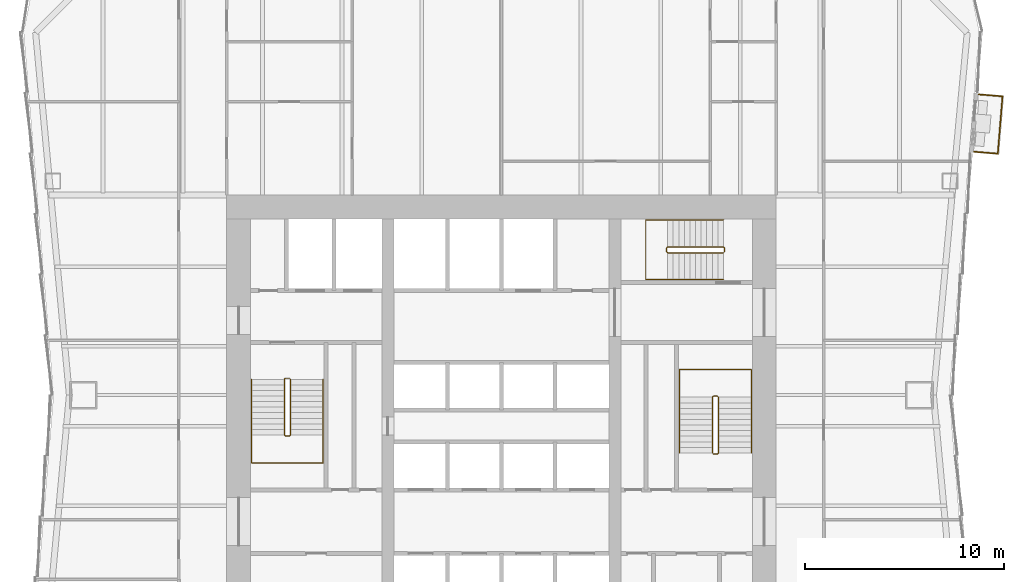
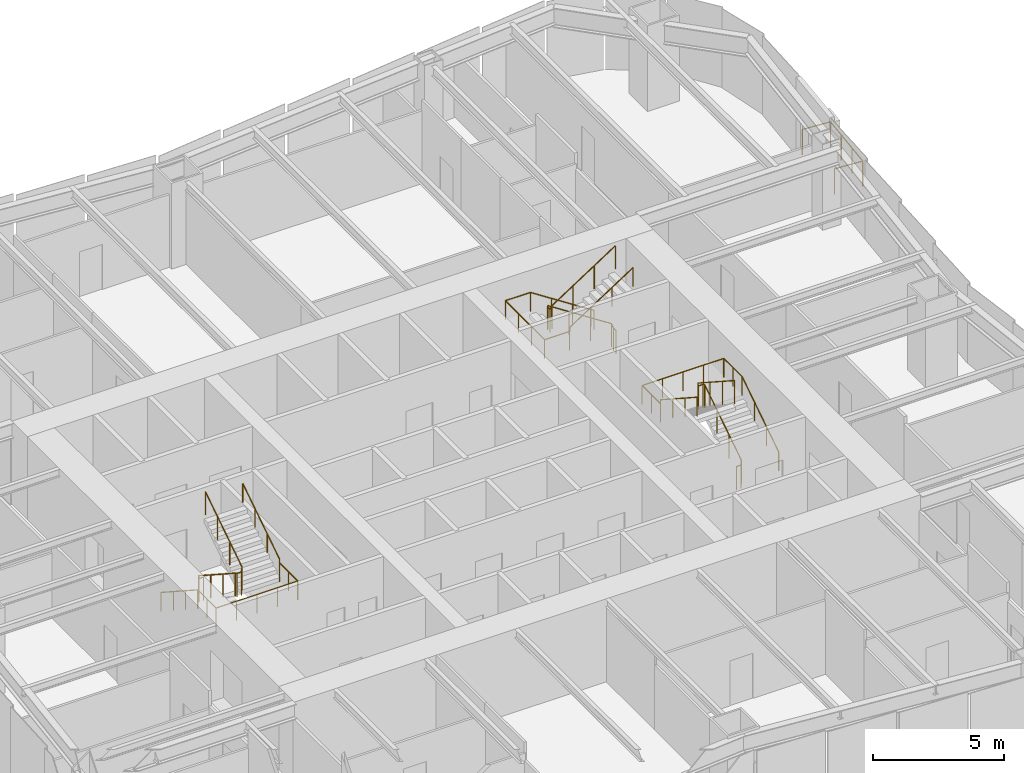
# One storey, part 8 of 9: 7 railings.
"""IFC4 building model written with IfcOpenShell, lengths in metres."""

from ifc_helpers import new_model, si_unit, direction, frame, origin, origin_2d, place, context, subcontext, project, spatial, circle, extrude, material, type_object, element, save


model = new_model("IFC4")

# Units and contexts
model_context = context("Model", 3, precision=1e-05, world=origin(), true_north=direction((0.0, 1.0)))
body_context = subcontext(model_context, "Body", "Model", "MODEL_VIEW")
ifc_project = project(units=[si_unit("LENGTHUNIT", "METRE"), si_unit("AREAUNIT", "SQUARE_METRE"), si_unit("VOLUMEUNIT", "CUBIC_METRE"), si_unit("PLANEANGLEUNIT", "RADIAN"), si_unit("MASSUNIT", "GRAM", prefix="KILO")], contexts=[model_context])

# Site, building, storey
site_placement = place(None, origin())
site = spatial("IfcSite", under=ifc_project, at=site_placement, CompositionType="ELEMENT")
building_placement = place(site_placement, origin())
building = spatial("IfcBuilding", under=site, at=building_placement, Name="Verdant Reach Tower", CompositionType="ELEMENT")
storey_placement = place(building_placement, frame((0.0, 0.0, 98.0)))
storey = spatial("IfcBuildingStorey", under=building, at=storey_placement, Name="L22", CompositionType="ELEMENT", Elevation=98.0)

# Railings
ifc_material_1 = material(Name="Stainless steel", Category="steel")
railing_type_1 = type_object("IfcRailingType", Name="CO-GUARD", PredefinedType="GUARDRAIL", material=ifc_material_1)
railing_1_placement = place(storey_placement, frame((-10.64990234375, 29.60009765625, 0.0)))
element("IfcRailing", 1, at=railing_1_placement, inside=storey, type_object=railing_type_1, Name="L22 ST-1 stair guard 1", PredefinedType="GUARDRAIL", context=body_context, shape_type="SweptSolid", body=[
    extrude(circle(Radius=0.02392578125, at=origin_2d()), frame((0.0, 0.0, 1.076171875), z_axis=(-1.0, 0.0, 0.0), x_axis=(0.0, -1.0, 0.0)), (0.0, 0.0, 1.0), 0.2001953125),
    extrude(circle(Radius=0.02392578125, at=origin_2d()), frame((-0.2001953125, 0.0, 1.076171875), z_axis=(-0.25526617399, -0.256517478764, 0.932222056972), x_axis=(0.708833529934, -0.705375805398, 0.0)), (0.0, 0.0, 1.0), 0.195068359375),
    extrude(circle(Radius=0.02392578125, at=origin_2d()), frame((-0.25, -0.050048828125, 1.2578125), z_axis=(0.0, -0.838705829183, 0.544584733623), x_axis=(1.0, 0.0, 0.0)), (0.0, 0.0, 1.0), 3.338623046875),
    extrude(circle(Radius=0.02392578125, at=origin_2d()), frame((-0.25, -2.85009765625, 3.076171875), z_axis=(0.705375805398, -0.708833529934, 0.0), x_axis=(0.708833529934, 0.705375805398, 0.0)), (0.0, 0.0, 1.0), 0.070556640625),
    extrude(circle(Radius=0.02392578125, at=origin_2d()), frame((-0.2001953125, -2.900146484375, 3.076171875), z_axis=(1.0, 0.0, 0.0), x_axis=(0.0, 1.0, 0.0)), (0.0, 0.0, 1.0), 0.2001953125),
    extrude(circle(Radius=0.02392578125, at=origin_2d()), frame((0.0, -2.900146484375, 3.076171875), z_axis=(0.25526617399, 0.256517478764, 0.932222056972), x_axis=(-0.708833529934, 0.705375805398, 0.0)), (0.0, 0.0, 1.0), 0.195068359375),
    extrude(circle(Radius=0.02392578125, at=origin_2d()), frame((0.0498046875, -2.85009765625, 3.2578125), z_axis=(0.0, 0.838705829183, 0.544584733623), x_axis=(-1.0, 0.0, 0.0)), (0.0, 0.0, 1.0), 3.338623046875),
    extrude(circle(Radius=0.02099609375, at=origin_2d()), origin(), (0.0, 0.0, 1.0), 1.052001953125),
    extrude(circle(Radius=0.02099609375, at=origin_2d()), frame((-0.2001953125, 0.0, 0.0)), (0.0, 0.0, 1.0), 1.052001953125),
    extrude(circle(Radius=0.02099609375, at=origin_2d()), frame((-0.25, -0.050048828125, 0.181884765625)), (0.0, 0.0, 1.0), 1.052001953125),
    extrude(circle(Radius=0.02099609375, at=origin_2d()), frame((-0.25, -0.9833984375, 0.787841796875)), (0.0, 0.0, 1.0), 1.052001953125),
    extrude(circle(Radius=0.02099609375, at=origin_2d()), frame((-0.25, -1.916748046875, 1.39404296875)), (0.0, 0.0, 1.0), 1.052001953125),
    extrude(circle(Radius=0.02099609375, at=origin_2d()), frame((-0.25, -2.85009765625, 2.0)), (0.0, 0.0, 1.0), 1.052001953125),
    extrude(circle(Radius=0.02099609375, at=origin_2d()), frame((-0.2001953125, -2.900146484375, 2.0)), (0.0, 0.0, 1.0), 1.052001953125),
    extrude(circle(Radius=0.02099609375, at=origin_2d()), frame((0.0, -2.900146484375, 2.0)), (0.0, 0.0, 1.0), 1.052001953125),
    extrude(circle(Radius=0.02099609375, at=origin_2d()), frame((0.0498046875, -2.85009765625, 2.181884765625)), (0.0, 0.0, 1.0), 1.052001953125),
    extrude(circle(Radius=0.02099609375, at=origin_2d()), frame((0.0498046875, -1.916748046875, 2.787841796875)), (0.0, 0.0, 1.0), 1.052001953125),
    extrude(circle(Radius=0.02099609375, at=origin_2d()), frame((0.0498046875, -0.9833984375, 3.39404296875)), (0.0, 0.0, 1.0), 1.052001953125),
    extrude(circle(Radius=0.02099609375, at=origin_2d()), frame((0.0498046875, -0.050048828125, 4.0)), (0.0, 0.0, 1.0), 1.052001953125),
])
railing_2_placement = place(storey_placement, frame((10.64990234375, 25.800048828125, 0.0)))
element("IfcRailing", 2, at=railing_2_placement, inside=storey, type_object=railing_type_1, Name="L22 ST-2 stair guard 1", PredefinedType="GUARDRAIL", context=body_context, shape_type="SweptSolid", body=[
    extrude(circle(Radius=0.02392578125, at=origin_2d()), frame((0.0, 0.0, 1.076171875), z_axis=(1.0, 0.0, 0.0), x_axis=(0.0, 1.0, 0.0)), (0.0, 0.0, 1.0), 0.2001953125),
    extrude(circle(Radius=0.02392578125, at=origin_2d()), frame((0.2001953125, 0.0, 1.076171875), z_axis=(0.25526617399, 0.256517478764, 0.932222056972), x_axis=(-0.708833529934, 0.705375805398, 0.0)), (0.0, 0.0, 1.0), 0.195068359375),
    extrude(circle(Radius=0.02392578125, at=origin_2d()), frame((0.25, 0.050048828125, 1.2578125), z_axis=(0.0, 0.83868413941, 0.544618136222), x_axis=(-1.0, 0.0, 0.0)), (0.0, 0.0, 1.0), 3.33837890625),
    extrude(circle(Radius=0.02392578125, at=origin_2d()), frame((0.25, 2.849853515625, 3.076171875), z_axis=(-0.705375805398, 0.708833529934, 0.0), x_axis=(-0.708833529934, -0.705375805398, 0.0)), (0.0, 0.0, 1.0), 0.070556640625),
    extrude(circle(Radius=0.02392578125, at=origin_2d()), frame((0.2001953125, 2.89990234375, 3.076171875), z_axis=(-1.0, 0.0, 0.0), x_axis=(0.0, -1.0, 0.0)), (0.0, 0.0, 1.0), 0.2001953125),
    extrude(circle(Radius=0.02392578125, at=origin_2d()), frame((0.0, 2.89990234375, 3.076171875), z_axis=(-0.25526617399, -0.256517478764, 0.932222056972), x_axis=(0.708833529934, -0.705375805398, 0.0)), (0.0, 0.0, 1.0), 0.195068359375),
    extrude(circle(Radius=0.02392578125, at=origin_2d()), frame((-0.0498046875, 2.849853515625, 3.2578125), z_axis=(0.0, -0.83868413941, 0.544618136222), x_axis=(1.0, 0.0, 0.0)), (0.0, 0.0, 1.0), 3.33837890625),
    extrude(circle(Radius=0.02099609375, at=origin_2d()), origin(), (0.0, 0.0, 1.0), 1.052001953125),
    extrude(circle(Radius=0.02099609375, at=origin_2d()), frame((0.2001953125, 0.0, 0.0)), (0.0, 0.0, 1.0), 1.052001953125),
    extrude(circle(Radius=0.02099609375, at=origin_2d()), frame((0.25, 0.050048828125, 0.181884765625)), (0.0, 0.0, 1.0), 1.052001953125),
    extrude(circle(Radius=0.02099609375, at=origin_2d()), frame((0.25, 0.9833984375, 0.787841796875)), (0.0, 0.0, 1.0), 1.052001953125),
    extrude(circle(Radius=0.02099609375, at=origin_2d()), frame((0.25, 1.91650390625, 1.39404296875)), (0.0, 0.0, 1.0), 1.052001953125),
    extrude(circle(Radius=0.02099609375, at=origin_2d()), frame((0.25, 2.849853515625, 2.0)), (0.0, 0.0, 1.0), 1.052001953125),
    extrude(circle(Radius=0.02099609375, at=origin_2d()), frame((0.2001953125, 2.89990234375, 2.0)), (0.0, 0.0, 1.0), 1.052001953125),
    extrude(circle(Radius=0.02099609375, at=origin_2d()), frame((0.0, 2.89990234375, 2.0)), (0.0, 0.0, 1.0), 1.052001953125),
    extrude(circle(Radius=0.02099609375, at=origin_2d()), frame((-0.0498046875, 2.849853515625, 2.181884765625)), (0.0, 0.0, 1.0), 1.052001953125),
    extrude(circle(Radius=0.02099609375, at=origin_2d()), frame((-0.0498046875, 1.91650390625, 2.787841796875)), (0.0, 0.0, 1.0), 1.052001953125),
    extrude(circle(Radius=0.02099609375, at=origin_2d()), frame((-0.0498046875, 0.9833984375, 3.39404296875)), (0.0, 0.0, 1.0), 1.052001953125),
    extrude(circle(Radius=0.02099609375, at=origin_2d()), frame((-0.0498046875, 0.050048828125, 4.0)), (0.0, 0.0, 1.0), 1.052001953125),
])
railing_3_placement = place(storey_placement, frame((11.199951171875, 35.949951171875, 0.0)))
element("IfcRailing", 3, at=railing_3_placement, inside=storey, type_object=railing_type_1, Name="L22 ST-3 stair guard 1", PredefinedType="GUARDRAIL", context=body_context, shape_type="SweptSolid", body=[
    extrude(circle(Radius=0.02392578125, at=origin_2d()), frame((0.0, 0.0, 1.076171875), z_axis=(0.0, 1.0, 0.0), x_axis=(-1.0, 0.0, 0.0)), (0.0, 0.0, 1.0), 0.199951171875),
    extrude(circle(Radius=0.02392578125, at=origin_2d()), frame((0.0, 0.199951171875, 1.076171875), z_axis=(-0.256435381639, 0.256435381639, 0.931923704005), x_axis=(-0.707106781187, -0.707106781187, 0.0)), (0.0, 0.0, 1.0), 0.195068359375),
    extrude(circle(Radius=0.02392578125, at=origin_2d()), frame((-0.050048828125, 0.25, 1.2578125), z_axis=(-0.83868413941, 0.0, 0.544618136222), x_axis=(0.0, -1.0, 0.0)), (0.0, 0.0, 1.0), 3.33837890625),
    extrude(circle(Radius=0.02392578125, at=origin_2d()), frame((-2.849853515625, 0.25, 3.076171875), z_axis=(-0.707106781187, -0.707106781187, 0.0), x_axis=(0.707106781187, -0.707106781187, 0.0)), (0.0, 0.0, 1.0), 0.07080078125),
    extrude(circle(Radius=0.02392578125, at=origin_2d()), frame((-2.89990234375, 0.199951171875, 3.076171875), z_axis=(0.0, -1.0, 0.0), x_axis=(1.0, 0.0, 0.0)), (0.0, 0.0, 1.0), 0.199951171875),
    extrude(circle(Radius=0.02392578125, at=origin_2d()), frame((-2.89990234375, 0.0, 3.076171875), z_axis=(0.256435381639, -0.256435381639, 0.931923704005), x_axis=(0.707106781187, 0.707106781187, 0.0)), (0.0, 0.0, 1.0), 0.195068359375),
    extrude(circle(Radius=0.02392578125, at=origin_2d()), frame((-2.849853515625, -0.050048828125, 3.2578125), z_axis=(0.83868413941, 0.0, 0.544618136222), x_axis=(0.0, 1.0, 0.0)), (0.0, 0.0, 1.0), 3.33837890625),
    extrude(circle(Radius=0.02099609375, at=origin_2d()), origin(), (0.0, 0.0, 1.0), 1.052001953125),
    extrude(circle(Radius=0.02099609375, at=origin_2d()), frame((0.0, 0.199951171875, 0.0)), (0.0, 0.0, 1.0), 1.052001953125),
    extrude(circle(Radius=0.02099609375, at=origin_2d()), frame((-0.050048828125, 0.25, 0.181884765625)), (0.0, 0.0, 1.0), 1.052001953125),
    extrude(circle(Radius=0.02099609375, at=origin_2d()), frame((-0.9833984375, 0.25, 0.787841796875)), (0.0, 0.0, 1.0), 1.052001953125),
    extrude(circle(Radius=0.02099609375, at=origin_2d()), frame((-1.91650390625, 0.25, 1.39404296875)), (0.0, 0.0, 1.0), 1.052001953125),
    extrude(circle(Radius=0.02099609375, at=origin_2d()), frame((-2.849853515625, 0.25, 2.0)), (0.0, 0.0, 1.0), 1.052001953125),
    extrude(circle(Radius=0.02099609375, at=origin_2d()), frame((-2.89990234375, 0.199951171875, 2.0)), (0.0, 0.0, 1.0), 1.052001953125),
    extrude(circle(Radius=0.02099609375, at=origin_2d()), frame((-2.89990234375, 0.0, 2.0)), (0.0, 0.0, 1.0), 1.052001953125),
    extrude(circle(Radius=0.02099609375, at=origin_2d()), frame((-2.849853515625, -0.050048828125, 2.181884765625)), (0.0, 0.0, 1.0), 1.052001953125),
    extrude(circle(Radius=0.02099609375, at=origin_2d()), frame((-1.91650390625, -0.050048828125, 2.787841796875)), (0.0, 0.0, 1.0), 1.052001953125),
    extrude(circle(Radius=0.02099609375, at=origin_2d()), frame((-0.9833984375, -0.050048828125, 3.39404296875)), (0.0, 0.0, 1.0), 1.052001953125),
    extrude(circle(Radius=0.02099609375, at=origin_2d()), frame((-0.050048828125, -0.050048828125, 4.0)), (0.0, 0.0, 1.0), 1.052001953125),
])
railing_type_2 = type_object("IfcRailingType", Name="CO-HANDRAIL", PredefinedType="HANDRAIL", material=ifc_material_1)
railing_4_placement = place(storey_placement, frame((-12.550048828125, 29.550048828125, 0.181884765625)))
element("IfcRailing", 4, at=railing_4_placement, inside=storey, type_object=railing_type_2, Name="L22 ST-1 stair handrail 1", PredefinedType="HANDRAIL", context=body_context, shape_type="SweptSolid", body=[
    extrude(circle(Radius=0.02392578125, at=origin_2d()), frame((0.0, 0.0, 0.8759765625), z_axis=(0.0, -0.838705829183, 0.544584733623), x_axis=(1.0, 0.0, 0.0)), (0.0, 0.0, 1.0), 3.338623046875),
    extrude(circle(Radius=0.02392578125, at=origin_2d()), frame((0.0, -2.800048828125, 2.69384765625), z_axis=(0.0, -1.0, 0.0), x_axis=(1.0, 0.0, 0.0)), (0.0, 0.0, 1.0), 1.39990234375),
    extrude(circle(Radius=0.02392578125, at=origin_2d()), frame((0.0, -4.199951171875, 2.69384765625), z_axis=(1.0, 0.0, 0.0), x_axis=(0.0, 1.0, 0.0)), (0.0, 0.0, 1.0), 3.60009765625),
    extrude(circle(Radius=0.02392578125, at=origin_2d()), frame((3.60009765625, -4.199951171875, 2.69384765625), z_axis=(0.0, 1.0, 0.0), x_axis=(-1.0, 0.0, 0.0)), (0.0, 0.0, 1.0), 1.39990234375),
    extrude(circle(Radius=0.02392578125, at=origin_2d()), frame((3.60009765625, -2.800048828125, 2.69384765625), z_axis=(0.0, 0.0, 1.0), x_axis=(1.0, 0.0, 0.0)), (0.0, 0.0, 1.0), 0.181884765625),
    extrude(circle(Radius=0.02392578125, at=origin_2d()), frame((3.60009765625, -2.800048828125, 2.8759765625), z_axis=(0.0, 0.838705829183, 0.544584733623), x_axis=(-1.0, 0.0, 0.0)), (0.0, 0.0, 1.0), 3.338623046875),
    extrude(circle(Radius=0.02099609375, at=origin_2d()), origin(), (0.0, 0.0, 1.0), 0.851806640625),
    extrude(circle(Radius=0.02099609375, at=origin_2d()), frame((0.0, -0.933349609375, 0.60595703125)), (0.0, 0.0, 1.0), 0.851806640625),
    extrude(circle(Radius=0.02099609375, at=origin_2d()), frame((0.0, -1.86669921875, 1.212158203125)), (0.0, 0.0, 1.0), 0.851806640625),
    extrude(circle(Radius=0.02099609375, at=origin_2d()), frame((0.0, -2.800048828125, 1.818115234375)), (0.0, 0.0, 1.0), 0.851806640625),
    extrude(circle(Radius=0.02099609375, at=origin_2d()), frame((0.0, -3.5, 1.818115234375)), (0.0, 0.0, 1.0), 0.851806640625),
    extrude(circle(Radius=0.02099609375, at=origin_2d()), frame((0.0, -4.199951171875, 1.818115234375)), (0.0, 0.0, 1.0), 0.851806640625),
    extrude(circle(Radius=0.02099609375, at=origin_2d()), frame((0.89990234375, -4.199951171875, 1.818115234375)), (0.0, 0.0, 1.0), 0.851806640625),
    extrude(circle(Radius=0.02099609375, at=origin_2d()), frame((1.800048828125, -4.199951171875, 1.818115234375)), (0.0, 0.0, 1.0), 0.851806640625),
    extrude(circle(Radius=0.02099609375, at=origin_2d()), frame((2.7001953125, -4.199951171875, 1.818115234375)), (0.0, 0.0, 1.0), 0.851806640625),
    extrude(circle(Radius=0.02099609375, at=origin_2d()), frame((3.60009765625, -4.199951171875, 1.818115234375)), (0.0, 0.0, 1.0), 0.851806640625),
    extrude(circle(Radius=0.02099609375, at=origin_2d()), frame((3.60009765625, -3.5, 1.818115234375)), (0.0, 0.0, 1.0), 0.851806640625),
    extrude(circle(Radius=0.02099609375, at=origin_2d()), frame((3.60009765625, -2.800048828125, 1.818115234375)), (0.0, 0.0, 1.0), 0.851806640625),
    extrude(circle(Radius=0.02099609375, at=origin_2d()), frame((3.60009765625, -2.800048828125, 2.0)), (0.0, 0.0, 1.0), 0.851806640625),
    extrude(circle(Radius=0.02099609375, at=origin_2d()), frame((3.60009765625, -1.86669921875, 2.60595703125)), (0.0, 0.0, 1.0), 0.851806640625),
    extrude(circle(Radius=0.02099609375, at=origin_2d()), frame((3.60009765625, -0.933349609375, 3.212158203125)), (0.0, 0.0, 1.0), 0.851806640625),
    extrude(circle(Radius=0.02099609375, at=origin_2d()), frame((3.60009765625, 0.0, 3.818115234375)), (0.0, 0.0, 1.0), 0.851806640625),
])
railing_5_placement = place(storey_placement, frame((12.550048828125, 25.85009765625, 0.181884765625)))
element("IfcRailing", 5, at=railing_5_placement, inside=storey, type_object=railing_type_2, Name="L22 ST-2 stair handrail 1", PredefinedType="HANDRAIL", context=body_context, shape_type="SweptSolid", body=[
    extrude(circle(Radius=0.02392578125, at=origin_2d()), frame((0.0, 0.0, 0.8759765625), z_axis=(0.0, 0.83868413941, 0.544618136222), x_axis=(-1.0, 0.0, 0.0)), (0.0, 0.0, 1.0), 3.33837890625),
    extrude(circle(Radius=0.02392578125, at=origin_2d()), frame((0.0, 2.7998046875, 2.69384765625), z_axis=(0.0, 1.0, 0.0), x_axis=(-1.0, 0.0, 0.0)), (0.0, 0.0, 1.0), 1.400146484375),
    extrude(circle(Radius=0.02392578125, at=origin_2d()), frame((0.0, 4.199951171875, 2.69384765625), z_axis=(-1.0, 0.0, 0.0), x_axis=(0.0, -1.0, 0.0)), (0.0, 0.0, 1.0), 3.60009765625),
    extrude(circle(Radius=0.02392578125, at=origin_2d()), frame((-3.60009765625, 4.199951171875, 2.69384765625), z_axis=(0.0, -1.0, 0.0), x_axis=(1.0, 0.0, 0.0)), (0.0, 0.0, 1.0), 1.400146484375),
    extrude(circle(Radius=0.02392578125, at=origin_2d()), frame((-3.60009765625, 2.7998046875, 2.69384765625), z_axis=(0.0, 0.0, 1.0), x_axis=(1.0, 0.0, 0.0)), (0.0, 0.0, 1.0), 0.181884765625),
    extrude(circle(Radius=0.02392578125, at=origin_2d()), frame((-3.60009765625, 2.7998046875, 2.8759765625), z_axis=(0.0, -0.83868413941, 0.544618136222), x_axis=(1.0, 0.0, 0.0)), (0.0, 0.0, 1.0), 3.33837890625),
    extrude(circle(Radius=0.02099609375, at=origin_2d()), origin(), (0.0, 0.0, 1.0), 0.851806640625),
    extrude(circle(Radius=0.02099609375, at=origin_2d()), frame((0.0, 0.933349609375, 0.60595703125)), (0.0, 0.0, 1.0), 0.851806640625),
    extrude(circle(Radius=0.02099609375, at=origin_2d()), frame((0.0, 1.866455078125, 1.212158203125)), (0.0, 0.0, 1.0), 0.851806640625),
    extrude(circle(Radius=0.02099609375, at=origin_2d()), frame((0.0, 2.7998046875, 1.818115234375)), (0.0, 0.0, 1.0), 0.851806640625),
    extrude(circle(Radius=0.02099609375, at=origin_2d()), frame((0.0, 3.5, 1.818115234375)), (0.0, 0.0, 1.0), 0.851806640625),
    extrude(circle(Radius=0.02099609375, at=origin_2d()), frame((0.0, 4.199951171875, 1.818115234375)), (0.0, 0.0, 1.0), 0.851806640625),
    extrude(circle(Radius=0.02099609375, at=origin_2d()), frame((-0.89990234375, 4.199951171875, 1.818115234375)), (0.0, 0.0, 1.0), 0.851806640625),
    extrude(circle(Radius=0.02099609375, at=origin_2d()), frame((-1.800048828125, 4.199951171875, 1.818115234375)), (0.0, 0.0, 1.0), 0.851806640625),
    extrude(circle(Radius=0.02099609375, at=origin_2d()), frame((-2.7001953125, 4.199951171875, 1.818115234375)), (0.0, 0.0, 1.0), 0.851806640625),
    extrude(circle(Radius=0.02099609375, at=origin_2d()), frame((-3.60009765625, 4.199951171875, 1.818115234375)), (0.0, 0.0, 1.0), 0.851806640625),
    extrude(circle(Radius=0.02099609375, at=origin_2d()), frame((-3.60009765625, 3.5, 1.818115234375)), (0.0, 0.0, 1.0), 0.851806640625),
    extrude(circle(Radius=0.02099609375, at=origin_2d()), frame((-3.60009765625, 2.7998046875, 1.818115234375)), (0.0, 0.0, 1.0), 0.851806640625),
    extrude(circle(Radius=0.02099609375, at=origin_2d()), frame((-3.60009765625, 2.7998046875, 2.0)), (0.0, 0.0, 1.0), 0.851806640625),
    extrude(circle(Radius=0.02099609375, at=origin_2d()), frame((-3.60009765625, 1.866455078125, 2.60595703125)), (0.0, 0.0, 1.0), 0.851806640625),
    extrude(circle(Radius=0.02099609375, at=origin_2d()), frame((-3.60009765625, 0.933349609375, 3.212158203125)), (0.0, 0.0, 1.0), 0.851806640625),
    extrude(circle(Radius=0.02099609375, at=origin_2d()), frame((-3.60009765625, 0.0, 3.818115234375)), (0.0, 0.0, 1.0), 0.851806640625),
])
railing_6_placement = place(storey_placement, frame((11.14990234375, 37.550048828125, 0.181884765625)))
element("IfcRailing", 6, at=railing_6_placement, inside=storey, type_object=railing_type_2, Name="L22 ST-3 stair handrail 1", PredefinedType="HANDRAIL", context=body_context, shape_type="SweptSolid", body=[
    extrude(circle(Radius=0.02392578125, at=origin_2d()), frame((0.0, 0.0, 0.8759765625), z_axis=(-0.83868413941, 0.0, 0.544618136222), x_axis=(0.0, -1.0, 0.0)), (0.0, 0.0, 1.0), 3.33837890625),
    extrude(circle(Radius=0.02392578125, at=origin_2d()), frame((-2.7998046875, 0.0, 2.69384765625), z_axis=(-1.0, 0.0, 0.0), x_axis=(0.0, -1.0, 0.0)), (0.0, 0.0, 1.0), 1.10009765625),
    extrude(circle(Radius=0.02392578125, at=origin_2d()), frame((-3.89990234375, 0.0, 2.69384765625), z_axis=(0.0, -1.0, 0.0), x_axis=(1.0, 0.0, 0.0)), (0.0, 0.0, 1.0), 3.0),
    extrude(circle(Radius=0.02392578125, at=origin_2d()), frame((-3.89990234375, -3.0, 2.69384765625), z_axis=(1.0, 0.0, 0.0), x_axis=(0.0, 1.0, 0.0)), (0.0, 0.0, 1.0), 1.10009765625),
    extrude(circle(Radius=0.02392578125, at=origin_2d()), frame((-2.7998046875, -3.0, 2.69384765625), z_axis=(0.0, 0.0, 1.0), x_axis=(1.0, 0.0, 0.0)), (0.0, 0.0, 1.0), 0.181884765625),
    extrude(circle(Radius=0.02392578125, at=origin_2d()), frame((-2.7998046875, -3.0, 2.8759765625), z_axis=(0.83868413941, 0.0, 0.544618136222), x_axis=(0.0, 1.0, 0.0)), (0.0, 0.0, 1.0), 3.33837890625),
    extrude(circle(Radius=0.02099609375, at=origin_2d()), origin(), (0.0, 0.0, 1.0), 0.851806640625),
    extrude(circle(Radius=0.02099609375, at=origin_2d()), frame((-0.933349609375, 0.0, 0.60595703125)), (0.0, 0.0, 1.0), 0.851806640625),
    extrude(circle(Radius=0.02099609375, at=origin_2d()), frame((-1.866455078125, 0.0, 1.212158203125)), (0.0, 0.0, 1.0), 0.851806640625),
    extrude(circle(Radius=0.02099609375, at=origin_2d()), frame((-2.7998046875, 0.0, 1.818115234375)), (0.0, 0.0, 1.0), 0.851806640625),
    extrude(circle(Radius=0.02099609375, at=origin_2d()), frame((-3.89990234375, 0.0, 1.818115234375)), (0.0, 0.0, 1.0), 0.851806640625),
    extrude(circle(Radius=0.02099609375, at=origin_2d()), frame((-3.89990234375, -1.0, 1.818115234375)), (0.0, 0.0, 1.0), 0.851806640625),
    extrude(circle(Radius=0.02099609375, at=origin_2d()), frame((-3.89990234375, -2.0, 1.818115234375)), (0.0, 0.0, 1.0), 0.851806640625),
    extrude(circle(Radius=0.02099609375, at=origin_2d()), frame((-3.89990234375, -3.0, 1.818115234375)), (0.0, 0.0, 1.0), 0.851806640625),
    extrude(circle(Radius=0.02099609375, at=origin_2d()), frame((-2.7998046875, -3.0, 1.818115234375)), (0.0, 0.0, 1.0), 0.851806640625),
    extrude(circle(Radius=0.02099609375, at=origin_2d()), frame((-2.7998046875, -3.0, 2.0)), (0.0, 0.0, 1.0), 0.851806640625),
    extrude(circle(Radius=0.02099609375, at=origin_2d()), frame((-1.866455078125, -3.0, 2.60595703125)), (0.0, 0.0, 1.0), 0.851806640625),
    extrude(circle(Radius=0.02099609375, at=origin_2d()), frame((-0.933349609375, -3.0, 3.212158203125)), (0.0, 0.0, 1.0), 0.851806640625),
    extrude(circle(Radius=0.02099609375, at=origin_2d()), frame((0.0, -3.0, 3.818115234375)), (0.0, 0.0, 1.0), 0.851806640625),
])
ifc_material_2 = material(Name="Stainless steel and laminated glass balustrade", Category="steel")
railing_type_3 = type_object("IfcRailingType", Name="EN-RAILING BALCONY", PredefinedType="GUARDRAIL", material=ifc_material_2)
railing_7_placement = place(storey_placement, frame((23.741943359375, 40.97802734375, 0.0)))
element("IfcRailing", 7, at=railing_7_placement, inside=storey, type_object=railing_type_3, Name="Balcony guard 1, L22", PredefinedType="GUARDRAIL", context=body_context, shape_type="SweptSolid", body=[
    extrude(circle(Radius=0.02490234375, at=origin_2d()), frame((0.0, 0.0, 1.1748046875), z_axis=(0.996649328179, -0.081793133211, 0.0), x_axis=(0.081793133211, 0.996649328179, 0.0)), (0.0, 0.0, 1.0), 1.19384765625),
    extrude(circle(Radius=0.02490234375, at=origin_2d()), frame((1.18994140625, -0.09765625, 1.1748046875), z_axis=(0.081863827639, 0.996643523896, 0.0), x_axis=(-0.996643523896, 0.081863827639, 0.0)), (0.0, 0.0, 1.0), 2.889892578125),
    extrude(circle(Radius=0.02490234375, at=origin_2d()), frame((1.426513671875, 2.782470703125, 1.1748046875), z_axis=(-0.996649328179, 0.081793133211, 0.0), x_axis=(-0.081793133211, -0.996649328179, 0.0)), (0.0, 0.0, 1.0), 1.19384765625),
    extrude(circle(Radius=0.02490234375, at=origin_2d()), origin(), (0.0, 0.0, 1.0), 1.14990234375),
    extrude(circle(Radius=0.02490234375, at=origin_2d()), frame((1.18994140625, -0.09765625, 0.0)), (0.0, 0.0, 1.0), 1.14990234375),
    extrude(circle(Radius=0.02490234375, at=origin_2d()), frame((1.268798828125, 0.8623046875, 0.0)), (0.0, 0.0, 1.0), 1.14990234375),
    extrude(circle(Radius=0.02490234375, at=origin_2d()), frame((1.34765625, 1.822509765625, 0.0)), (0.0, 0.0, 1.0), 1.14990234375),
    extrude(circle(Radius=0.02490234375, at=origin_2d()), frame((1.426513671875, 2.782470703125, 0.0)), (0.0, 0.0, 1.0), 1.14990234375),
    extrude(circle(Radius=0.02490234375, at=origin_2d()), frame((0.236572265625, 2.880126953125, 0.0)), (0.0, 0.0, 1.0), 1.14990234375),
])

save(model, "model.ifc")
